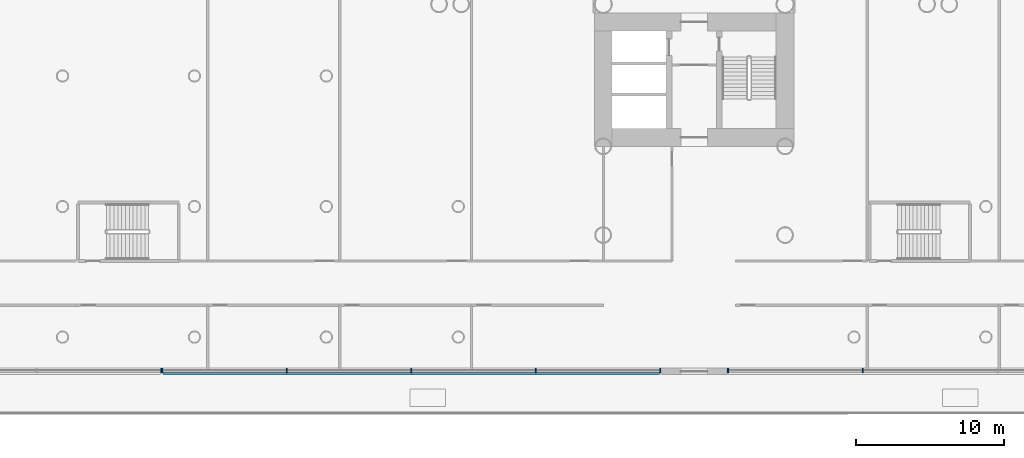
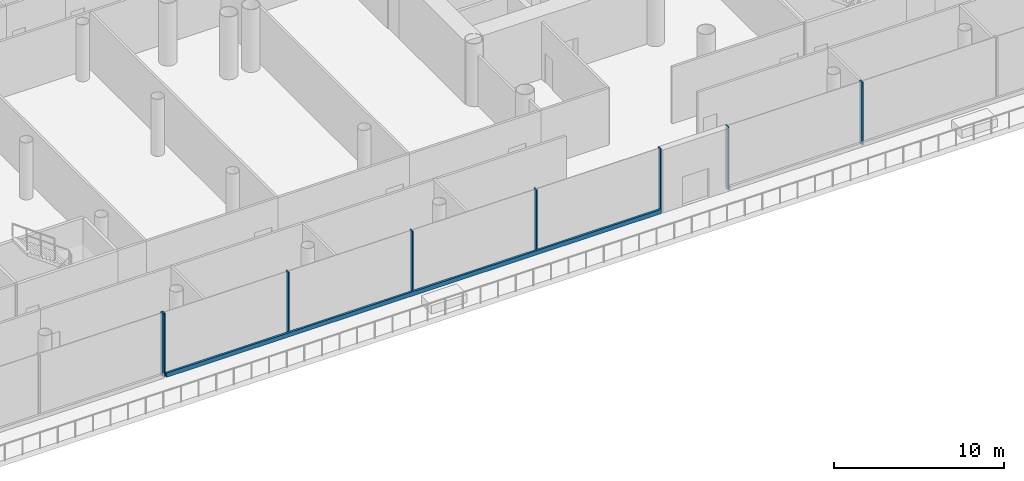
# One storey, part 8 of 49: 9 members, 3 elements without a shape of their own.
"""IFC4 building model written with IfcOpenShell, lengths in metres."""

from ifc_helpers import new_model, si_unit, direction, frame, origin, origin_2d, place, context, subcontext, project, spatial, rectangle, extrude, material, layer, layer_set, material_profile, profile_set, type_object, element, aggregate, save


model = new_model("IFC4")

# Units and contexts
model_context = context("Model", 3, precision=1e-05, world=origin(), true_north=direction((0.0, 1.0)))
body_context = subcontext(model_context, "Body", "Model", "MODEL_VIEW")
ifc_project = project(units=[si_unit("LENGTHUNIT", "METRE"), si_unit("AREAUNIT", "SQUARE_METRE"), si_unit("VOLUMEUNIT", "CUBIC_METRE"), si_unit("PLANEANGLEUNIT", "RADIAN"), si_unit("MASSUNIT", "GRAM", prefix="KILO")], contexts=[model_context])

# Site, building, storey
site_placement = place(None, origin())
site = spatial("IfcSite", under=ifc_project, at=site_placement, CompositionType="ELEMENT")
building_placement = place(site_placement, origin())
building = spatial("IfcBuilding", under=site, at=building_placement, Name="Ipe Terrace Towers", CompositionType="ELEMENT")
storey_placement = place(building_placement, frame((0.0, 0.0, 20.0)))
storey = spatial("IfcBuildingStorey", under=building, at=storey_placement, Name="L04", CompositionType="ELEMENT", Elevation=20.0)

# Curtain wall, member
ifc_material_1 = material(Name="Aluminium alloy 6063-T6", Category="aluminium")
ifc_layer = layer(ifc_material_1, 0.43994140625)
ifc_layer_set = layer_set([ifc_layer], Name="PODIUM GLAZING CURTAIN WALL")
curtain_wall_type = type_object("IfcCurtainWallType", Name="PODIUM GLAZING CURTAIN WALL", PredefinedType="NOTDEFINED", material=ifc_layer_set)
curtain_wall_1_placement = place(storey_placement, origin())
curtain_wall_1 = element("IfcCurtainWall", 1, at=curtain_wall_1_placement, inside=storey, type_object=curtain_wall_type, Name="POD-CW-L04-03c curtain wall", PredefinedType="NOTDEFINED")
ifc_material_2 = material(Name="Aluminium alloy 6063-T6", Category="aluminium")
ifc_material_profile_1 = material_profile(ifc_material_2, rectangle(XDim=0.300048828125, YDim=0.080078125, at=origin_2d()), Name="PODIUM GLAZING MULLION 300 x 80")
ifc_profile_set_1 = profile_set([ifc_material_profile_1], Name="Aluminium alloy 6063-T6")
member_type_1 = type_object("IfcMemberType", Name="PODIUM GLAZING MULLION 300 x 80", PredefinedType="MULLION", material=ifc_profile_set_1)
member_1_placement = place(storey_placement, frame((-0.0400390625, -30.89990234375, -0.02001953125), z_axis=(0.0, 0.0, 1.0), x_axis=(0.0, -1.0, 0.0)))
member_1 = element("IfcMember", 2, at=member_1_placement, type_object=member_type_1, Name="POD-CW-L04-03c mullion 5", PredefinedType="MULLION", context=body_context, shape_type="SweptSolid", body=[
    extrude(rectangle(XDim=0.300048828125, YDim=0.080078125, at=origin_2d()), origin(), (0.0, 0.0, 1.0), 4.52001953125),
])
aggregate(curtain_wall_1, [member_1])

# Curtain wall, members
curtain_wall_2_placement = place(storey_placement, origin())
curtain_wall_2 = element("IfcCurtainWall", 3, at=curtain_wall_2_placement, inside=storey, type_object=curtain_wall_type, Name="POD-CW-L04-03d curtain wall", PredefinedType="NOTDEFINED")
member_2_placement = place(storey_placement, frame((0.0400390625, -30.89990234375, -0.02001953125), z_axis=(0.0, 0.0, 1.0), x_axis=(0.0, -1.0, 0.0)))
member_2 = element("IfcMember", 4, at=member_2_placement, type_object=member_type_1, Name="POD-CW-L04-03d mullion 1", PredefinedType="MULLION", context=body_context, shape_type="SweptSolid", body=[
    extrude(rectangle(XDim=0.300048828125, YDim=0.080078125, at=origin_2d()), origin(), (0.0, 0.0, 1.0), 4.52001953125),
])
member_3_placement = place(storey_placement, frame((8.45751953125, -30.89990234375, -0.02001953125), z_axis=(0.0, 0.0, 1.0), x_axis=(0.0, -1.0, 0.0)))
member_3 = element("IfcMember", 5, at=member_3_placement, type_object=member_type_1, Name="POD-CW-L04-03d mullion 2", PredefinedType="MULLION", context=body_context, shape_type="SweptSolid", body=[
    extrude(rectangle(XDim=0.300048828125, YDim=0.080078125, at=origin_2d()), origin(), (0.0, 0.0, 1.0), 4.52001953125),
])
member_4_placement = place(storey_placement, frame((16.875, -30.89990234375, -0.02001953125), z_axis=(0.0, 0.0, 1.0), x_axis=(0.0, -1.0, 0.0)))
member_4 = element("IfcMember", 6, at=member_4_placement, type_object=member_type_1, Name="POD-CW-L04-03d mullion 3", PredefinedType="MULLION", context=body_context, shape_type="SweptSolid", body=[
    extrude(rectangle(XDim=0.300048828125, YDim=0.080078125, at=origin_2d()), origin(), (0.0, 0.0, 1.0), 4.52001953125),
])
member_5_placement = place(storey_placement, frame((25.29248046875, -30.89990234375, -0.02001953125), z_axis=(0.0, 0.0, 1.0), x_axis=(0.0, -1.0, 0.0)))
member_5 = element("IfcMember", 7, at=member_5_placement, type_object=member_type_1, Name="POD-CW-L04-03d mullion 4", PredefinedType="MULLION", context=body_context, shape_type="SweptSolid", body=[
    extrude(rectangle(XDim=0.300048828125, YDim=0.080078125, at=origin_2d()), origin(), (0.0, 0.0, 1.0), 4.52001953125),
])
member_6_placement = place(storey_placement, frame((33.7099609375, -30.89990234375, -0.02001953125), z_axis=(0.0, 0.0, 1.0), x_axis=(0.0, -1.0, 0.0)))
member_6 = element("IfcMember", 8, at=member_6_placement, type_object=member_type_1, Name="POD-CW-L04-03d mullion 5", PredefinedType="MULLION", context=body_context, shape_type="SweptSolid", body=[
    extrude(rectangle(XDim=0.300048828125, YDim=0.080078125, at=origin_2d()), origin(), (0.0, 0.0, 1.0), 4.52001953125),
])

curtain_wall_3_placement = place(storey_placement, origin())
curtain_wall_3 = element("IfcCurtainWall", 9, at=curtain_wall_3_placement, inside=storey, type_object=curtain_wall_type, Name="POD-CW-L04-03f curtain wall", PredefinedType="NOTDEFINED")
member_7_placement = place(storey_placement, frame((38.2900390625, -30.89990234375, -0.02001953125), z_axis=(0.0, 0.0, 1.0), x_axis=(0.0, -1.0, 0.0)))
member_7 = element("IfcMember", 10, at=member_7_placement, type_object=member_type_1, Name="POD-CW-L04-03f mullion 1", PredefinedType="MULLION", context=body_context, shape_type="SweptSolid", body=[
    extrude(rectangle(XDim=0.300048828125, YDim=0.080078125, at=origin_2d()), origin(), (0.0, 0.0, 1.0), 4.52001953125),
])
member_8_placement = place(storey_placement, frame((47.409912109375, -30.89990234375, -0.02001953125), z_axis=(0.0, 0.0, 1.0), x_axis=(0.0, -1.0, 0.0)))
member_8 = element("IfcMember", 11, at=member_8_placement, type_object=member_type_1, Name="POD-CW-L04-03f mullion 2", PredefinedType="MULLION", context=body_context, shape_type="SweptSolid", body=[
    extrude(rectangle(XDim=0.300048828125, YDim=0.080078125, at=origin_2d()), origin(), (0.0, 0.0, 1.0), 4.52001953125),
])
aggregate(curtain_wall_3, [member_7, member_8])

# Member
ifc_material_3 = material(Name="Aluminium alloy 6063-T6", Category="aluminium")
ifc_material_profile_2 = material_profile(ifc_material_3, rectangle(XDim=0.139892578125, YDim=0.300048828125, at=origin_2d()), Name="PODIUM GLAZING TRANSOM 140 x 300")
ifc_profile_set_2 = profile_set([ifc_material_profile_2], Name="Aluminium alloy 6063-T6")
member_type_2 = type_object("IfcMemberType", Name="PODIUM GLAZING TRANSOM 140 x 300", PredefinedType="USERDEFINED", material=ifc_profile_set_2)
member_9_placement = place(storey_placement, frame((0.080078125, -31.1201171875, 0.1298828125), z_axis=(1.0, 0.0, 0.0), x_axis=(0.0, -1.0, 0.0)))
member_9 = element("IfcMember", 12, at=member_9_placement, type_object=member_type_2, Name="POD-CW-L04-03d transom", ObjectType="TRANSOM", PredefinedType="USERDEFINED", context=body_context, shape_type="SweptSolid", body=[
    extrude(rectangle(XDim=0.139892578125, YDim=0.300048828125, at=origin_2d()), origin(), (0.0, 0.0, 1.0), 33.58984375),
])

aggregate(curtain_wall_2, [member_2, member_3, member_4, member_5, member_6, member_9])

save(model, "model.ifc")
